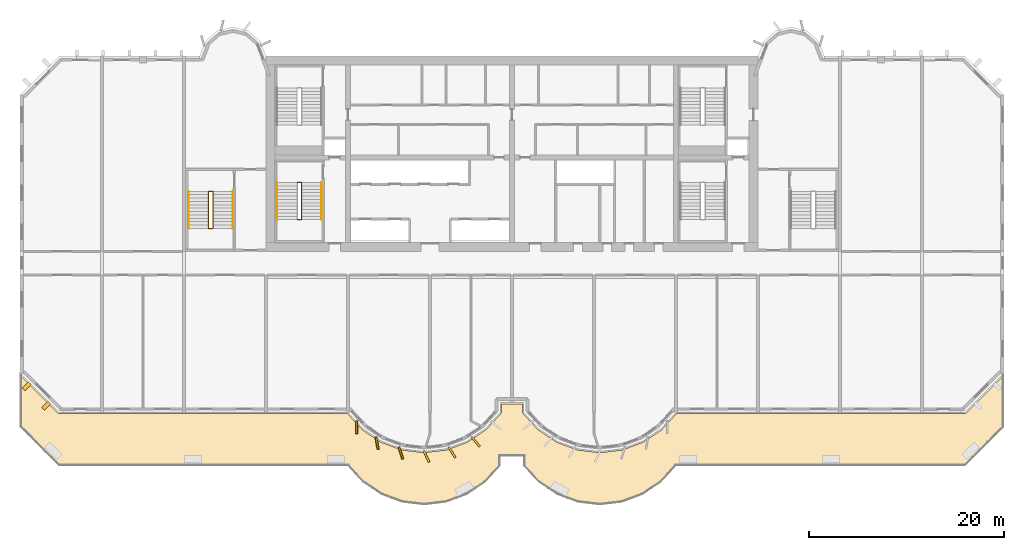
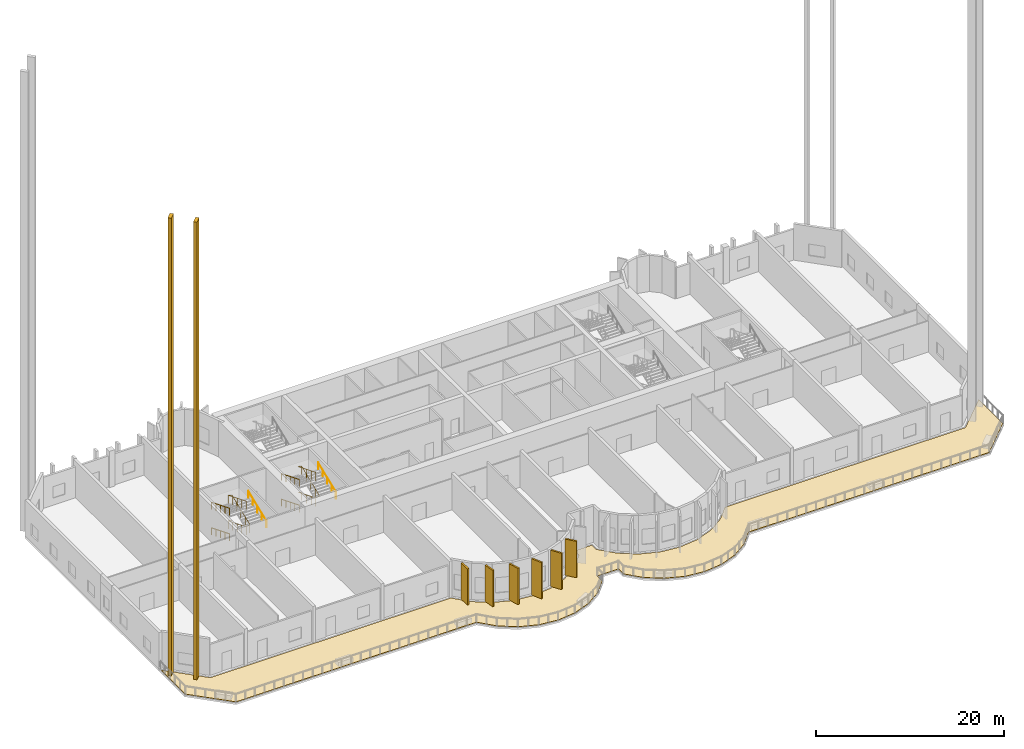
# One storey, part 10 of 13: 9 coverings, 8 railings.
"""IFC4 building model written with IfcOpenShell, lengths in metres."""

import ifcopenshell
import ifcopenshell.guid

model = None  # the IFC model being written
_history = None  # IfcOwnerHistory: only IFC2X3 demands one
_inside = {}  # id of a spatial element -> (the spatial element, [elements in it])
_under = {}  # id of a project, library or spatial element -> (it, [spatial elements below it])
_declared = {}  # id of a project -> (the project, [libraries it declares])
_typed = {}  # id of a type object -> (the type object, [elements of that type])
_made_of = {}  # id of a material, layer set ... -> (it, [elements and type objects made of it])


def new_model(schema):
    """Start an empty IFC model of exactly this schema.

    Asked for "IFC4X3", IfcOpenShell would pick the latest addendum, in which some entities
    have other attributes; the version numbers below select the first issue.
    IFC2X3 requires an IfcOwnerHistory on every rooted entity: one is made here for all.
    """
    global model, _history
    if schema == "IFC4X3":
        model = ifcopenshell.file(schema_version=(4, 3, 0, 0))
    else:
        model = ifcopenshell.file(schema=schema)
    _inside.clear()
    _under.clear()
    _declared.clear()
    _typed.clear()
    _made_of.clear()
    _history = None
    if model.schema == "IFC2X3":
        org = make("IfcOrganization", Name="unknown")
        user = make(
            "IfcPersonAndOrganization",
            ThePerson=make("IfcPerson", FamilyName="unknown"),
            TheOrganization=org,
        )
        app = make(
            "IfcApplication",
            ApplicationDeveloper=org,
            Version="unknown",
            ApplicationFullName="unknown",
            ApplicationIdentifier="unknown",
        )
        _history = make(
            "IfcOwnerHistory",
            OwningUser=user,
            OwningApplication=app,
            ChangeAction="ADDED",
            CreationDate=0,
        )
    return model


def make(cls, **values):
    """One entity of the class cls with the attributes given. An attribute that is None is left unset."""
    return model.create_entity(
        cls, **{name: value for name, value in values.items() if value is not None}
    )


def rooted(cls, **values):
    """An entity with a GlobalId (a new one), such as an element, a storey or a relation."""
    return make(cls, GlobalId=ifcopenshell.guid.new(), OwnerHistory=_history, **values)


def si_unit(unit_type, name, prefix=None):
    """IfcSIUnit, for example si_unit("LENGTHUNIT", "METRE", prefix="MILLI")."""
    return make("IfcSIUnit", UnitType=unit_type, Prefix=prefix, Name=name)


def assignment(units):
    """IfcUnitAssignment: the units of a project."""
    return None if units is None else make("IfcUnitAssignment", Units=units)


def point(xyz):
    """IfcCartesianPoint."""
    return None if xyz is None else make("IfcCartesianPoint", Coordinates=xyz)


def direction(xyz):
    """IfcDirection."""
    return None if xyz is None else make("IfcDirection", DirectionRatios=xyz)


def frame(location, z_axis=None, x_axis=None):
    """IfcAxis2Placement3D, a coordinate frame: its origin and axes. An axis left out is left unset."""
    return make(
        "IfcAxis2Placement3D",
        Location=point(location),
        Axis=direction(z_axis),
        RefDirection=direction(x_axis),
    )


def frame_2d(location, x_axis=None):
    """IfcAxis2Placement2D, a coordinate frame in the plane: its origin and x axis."""
    return make(
        "IfcAxis2Placement2D", Location=point(location), RefDirection=direction(x_axis)
    )


def origin():
    """The frame at (0, 0, 0) with its axes left unset."""
    return frame((0.0, 0.0, 0.0))


def origin_2d():
    """The frame at (0, 0) in the plane with its x axis left unset."""
    return frame_2d((0.0, 0.0))


def place(relative_to, where):
    """IfcLocalPlacement: puts the frame where relative to a parent placement (None: the world)."""
    return make(
        "IfcLocalPlacement", PlacementRelTo=relative_to, RelativePlacement=where
    )


def context(
    kind, dimensions, precision=None, world=None, true_north=None, identifier=None
):
    """IfcGeometricRepresentationContext, for example the 3D "Model" context."""
    return make(
        "IfcGeometricRepresentationContext",
        ContextIdentifier=identifier,
        ContextType=kind,
        CoordinateSpaceDimension=dimensions,
        Precision=precision,
        WorldCoordinateSystem=world,
        TrueNorth=true_north,
    )


def subcontext(parent, identifier, kind, view, scale=None):
    """IfcGeometricRepresentationSubContext, for example "Body" below "Model"."""
    return make(
        "IfcGeometricRepresentationSubContext",
        ContextIdentifier=identifier,
        ContextType=kind,
        ParentContext=parent,
        TargetScale=scale,
        TargetView=view,
    )


def project(units=None, contexts=None):
    """IfcProject with its units and contexts."""
    return rooted(
        "IfcProject",
        Name="project",
        RepresentationContexts=contexts,
        UnitsInContext=assignment(units),
    )


def spatial(cls, under=None, at=None, **own):
    """A site, building, storey or space (cls), placed at a placement, below another one or the project."""
    s = rooted(cls, ObjectPlacement=at, **own)
    if under is not None:
        _under.setdefault(under.id(), (under, []))[1].append(s)
    return s


def polyline(points):
    """IfcPolyline through the points."""
    return make("IfcPolyline", Points=[point(p) for p in points])


def profile(cls, at=None, kind="AREA", **sizes):
    """A parametric profile (cls). Its sizes go by their IFC names, for example OverallWidth=200.0."""
    return make(cls, ProfileType=kind, Position=at, **sizes)


def rectangle(**sizes):
    """IfcRectangleProfileDef."""
    return profile("IfcRectangleProfileDef", **sizes)


def circle(**sizes):
    """IfcCircleProfileDef."""
    return profile("IfcCircleProfileDef", **sizes)


def outline(outer, holes=None, kind="AREA"):
    """IfcArbitraryClosedProfileDef: a profile drawn as a closed curve; with holes, ...WithVoids."""
    if holes is None:
        return make("IfcArbitraryClosedProfileDef", ProfileType=kind, OuterCurve=outer)
    return make(
        "IfcArbitraryProfileDefWithVoids",
        ProfileType=kind,
        OuterCurve=outer,
        InnerCurves=holes,
    )


def extrude(swept, where, along, depth):
    """IfcExtrudedAreaSolid: the profile swept, set in the frame where, extruded along a direction by depth."""
    return make(
        "IfcExtrudedAreaSolid",
        SweptArea=swept,
        Position=where,
        ExtrudedDirection=direction(along),
        Depth=depth,
    )


def shape(context_of_items, identifier, shape_type, items):
    """IfcShapeRepresentation: the items that make up one representation, for example the "Body"."""
    return make(
        "IfcShapeRepresentation",
        ContextOfItems=context_of_items,
        RepresentationIdentifier=identifier,
        RepresentationType=shape_type,
        Items=items,
    )


def source(mapping_origin, context_of_items, identifier, shape_type, items):
    """IfcRepresentationMap: a shape defined once, which mapped items show again and again."""
    return make(
        "IfcRepresentationMap",
        MappingOrigin=mapping_origin,
        MappedRepresentation=shape(context_of_items, identifier, shape_type, items),
    )


def transform(
    local_origin,
    x_axis=None,
    y_axis=None,
    z_axis=None,
    scale=None,
    scale2=None,
    scale3=None,
    uniform=True,
):
    """IfcCartesianTransformationOperator3D, or its non-uniform kind. x_axis, y_axis, z_axis: its Axis1, 2, 3."""
    if uniform:
        return make(
            "IfcCartesianTransformationOperator3D",
            Axis1=direction(x_axis),
            Axis2=direction(y_axis),
            LocalOrigin=point(local_origin),
            Scale=scale,
            Axis3=direction(z_axis),
        )
    return make(
        "IfcCartesianTransformationOperator3DnonUniform",
        Axis1=direction(x_axis),
        Axis2=direction(y_axis),
        LocalOrigin=point(local_origin),
        Scale=scale,
        Axis3=direction(z_axis),
        Scale2=scale2,
        Scale3=scale3,
    )


def mapped(mapping_source, mapping_target):
    """IfcMappedItem: shows the shape of a source again, moved by a transform."""
    return make(
        "IfcMappedItem", MappingSource=mapping_source, MappingTarget=mapping_target
    )


def material(Name=None, Category=None):
    """IfcMaterial."""
    return make("IfcMaterial", Name=Name, Category=Category)


def layer(
    of_material, thickness, ventilated=None, Name=None, Category=None, Priority=None
):
    """IfcMaterialLayer: one layer of a wall or slab, of a material (None: an air gap)."""
    return make(
        "IfcMaterialLayer",
        Material=of_material,
        LayerThickness=thickness,
        IsVentilated=ventilated,
        Name=Name,
        Category=Category,
        Priority=Priority,
    )


def layer_set(layers, Name=None):
    """IfcMaterialLayerSet."""
    return make("IfcMaterialLayerSet", MaterialLayers=layers, LayerSetName=Name)


def material_profile(
    of_material, cross_section, Name=None, Category=None, Priority=None
):
    """IfcMaterialProfile: a cross section and its material."""
    return make(
        "IfcMaterialProfile",
        Name=Name,
        Material=of_material,
        Profile=cross_section,
        Priority=Priority,
        Category=Category,
    )


def profile_set(profiles, Name=None, composite=None):
    """IfcMaterialProfileSet."""
    return make(
        "IfcMaterialProfileSet",
        Name=Name,
        MaterialProfiles=profiles,
        CompositeProfile=composite,
    )


def made_of(thing, what):
    """Note that an element or type object is made of a material, layer set ...; save() writes the relation."""
    if what is not None:
        _made_of.setdefault(what.id(), (what, []))[1].append(thing)
    return thing


def type_object(cls, material=None, **own):
    """A type object (cls), such as IfcWallType, which elements share."""
    return made_of(rooted(cls, **own), material)


def element(
    cls,
    number,
    at=None,
    inside=None,
    cuts=None,
    type_object=None,
    material=None,
    context=None,
    identifier="Body",
    shape_type=None,
    held_by="IfcProductDefinitionShape",
    body=None,
    shapes=None,
    **own,
):
    """One element of the class cls, such as IfcWall. Its Tag is "e" and its number.

    at: its placement. inside: the storey or other place that contains it. cuts: it is an
    opening in that element (IfcRelVoidsElement). A single representation is given by context,
    identifier, shape_type and body (its items); several are given by shapes. held_by: the class
    of the entity that holds the representations. save() writes the other relations.
    """
    e = rooted(cls, Tag="e%d" % number, ObjectPlacement=at, **own)
    if body is not None:
        shapes = [shape(context, identifier, shape_type, body)]
    if shapes is not None:
        e.Representation = make(held_by, Representations=shapes)
    if inside is not None:
        _inside.setdefault(inside.id(), (inside, []))[1].append(e)
    if cuts is not None:
        rooted(
            "IfcRelVoidsElement", RelatingBuildingElement=cuts, RelatedOpeningElement=e
        )
    if type_object is not None:
        _typed.setdefault(type_object.id(), (type_object, []))[1].append(e)
    return made_of(e, material)


def aggregate(whole, parts):
    """IfcRelAggregates: a whole, such as a stair, and the parts it consists of."""
    return rooted("IfcRelAggregates", RelatingObject=whole, RelatedObjects=parts)


def save(model, path):
    """Write the relations noted so far, then the file.

    IfcRelAggregates (storeys below a building ...), IfcRelContainedInSpatialStructure (elements
    in a storey), IfcRelDefinesByType, IfcRelAssociatesMaterial and IfcRelDeclares: one each for
    every whole, place, type object, material and project.
    """
    for whole, parts in _under.values():
        aggregate(whole, parts)
    for where, things in _inside.values():
        rooted(
            "IfcRelContainedInSpatialStructure",
            RelatedElements=things,
            RelatingStructure=where,
        )
    for kind, things in _typed.values():
        rooted("IfcRelDefinesByType", RelatedObjects=things, RelatingType=kind)
    for what, things in _made_of.values():
        rooted("IfcRelAssociatesMaterial", RelatedObjects=things, RelatingMaterial=what)
    for by, libraries in _declared.values():
        rooted("IfcRelDeclares", RelatingContext=by, RelatedDefinitions=libraries)
    model.write(path)


model = new_model("IFC4")

# Units and contexts
model_context = context("Model", 3, precision=1e-05, world=origin(), true_north=direction((0.0, 1.0)))
body_context = subcontext(model_context, "Body", "Model", "MODEL_VIEW")
ifc_project = project(units=[si_unit("LENGTHUNIT", "METRE"), si_unit("AREAUNIT", "SQUARE_METRE"), si_unit("VOLUMEUNIT", "CUBIC_METRE"), si_unit("PLANEANGLEUNIT", "RADIAN"), si_unit("MASSUNIT", "GRAM", prefix="KILO")], contexts=[model_context])

# Site, building, storey
site_placement = place(None, origin())
site = spatial("IfcSite", under=ifc_project, at=site_placement, CompositionType="ELEMENT")
building_placement = place(site_placement, origin())
building = spatial("IfcBuilding", under=site, at=building_placement, Name="Vanashikhar Sky Hotel", CompositionType="ELEMENT")
storey_placement = place(building_placement, frame((0.0, 0.0, 86.39990234375)))
storey = spatial("IfcBuildingStorey", under=building, at=storey_placement, Name="L20", CompositionType="ELEMENT", Elevation=86.39990234375)

# Coverings
ifc_material_1 = material(Name="Concrete M60 dark", Category="concrete")
ifc_material_profile_1 = material_profile(ifc_material_1, rectangle(XDim=1.300048828125, YDim=0.199951171875, at=origin_2d()))
ifc_profile_set_1 = profile_set([ifc_material_profile_1], Name="Fin 1300 x 200")
covering_type_1 = type_object("IfcCoveringType", Name="Fin 1300 x 200", PredefinedType="CLADDING", material=ifc_profile_set_1)
shared_shape_1 = source(origin(), body_context, "Body", "SweptSolid", [
    extrude(rectangle(XDim=1.300048828125, YDim=0.199951171875, at=origin_2d()), origin(), (0.0, 0.0, 1.0), 4.72021484375),
])
for number, where, z_axis, x_axis, name in (
    (1, (34.482421875, 3.992919921875, 0.0), (0.0, 0.0, 1.0), (0.011588726826, -0.999932848451, 0.0), "Fin F1-1"),
    (2, (36.572509765625, 2.3779296875, 0.0), (0.0, 0.0, 1.0), (0.16989991575, -0.985461322746, 0.0), "Fin F1-2"),
    (3, (39.00830078125, 1.35693359375, 0.0), (0.0, 0.0, 1.0), (0.303966551867, -0.952682704444, 0.0), "Fin F1-3"),
    (4, (41.63232421875, 1.00146484375, 0.0), (0.0, 0.0, 1.0), (0.422618261741, -0.906307787037, 0.0), "Fin F1-4"),
    (5, (44.251953125, 1.416015625, 0.0), (0.0, 0.0, 1.0), (0.534411358496, -0.845224526331, 0.0), "Fin F1-5"),
    (6, (46.676025390625, 2.5, 0.0), (0.0, 0.0, 1.0), (0.645697609467, -0.763593214433, 0.0), "Fin F1-6"),
):
    element("IfcCovering", number, at=place(storey_placement, frame(where, z_axis=z_axis, x_axis=x_axis)), inside=storey, type_object=covering_type_1, Name=name, PredefinedType="CLADDING", context=body_context, shape_type="MappedRepresentation", body=[
        mapped(shared_shape_1, transform((0.0, 0.0, 0.0), scale=1.0)),
    ])
ifc_material_profile_2 = material_profile(ifc_material_1, rectangle(XDim=0.89990234375, YDim=0.39990234375, at=origin_2d()))
ifc_profile_set_2 = profile_set([ifc_material_profile_2], Name="Chamfer fin 900 x 400")
covering_type_2 = type_object("IfcCoveringType", Name="Chamfer fin 900 x 400", PredefinedType="CLADDING", material=ifc_profile_set_2)
shared_shape_2 = source(origin(), body_context, "Body", "SweptSolid", [
    extrude(rectangle(XDim=0.89990234375, YDim=0.39990234375, at=origin_2d()), origin(), (0.0, 0.0, 1.0), 59.7998046875),
])
for number, where, z_axis, x_axis, name in (
    (7, (0.681884765625, 8.181884765625, -0.27978515625), (0.0, 0.0, 1.0), (-0.707106781187, -0.707106781187, 0.0), "Chamfer fin"),
    (8, (2.681884765625, 6.181884765625, -0.27978515625), (0.0, 0.0, 1.0), (-0.707106781187, -0.707106781187, 0.0), "Chamfer fin"),
):
    element("IfcCovering", number, at=place(storey_placement, frame(where, z_axis=z_axis, x_axis=x_axis)), inside=storey, type_object=covering_type_2, Name=name, PredefinedType="CLADDING", context=body_context, shape_type="MappedRepresentation", body=[
        mapped(shared_shape_2, transform((0.0, 0.0, 0.0), scale=1.0)),
    ])
ifc_material_2 = material(Name="Paving stone", Category="masonry")
ifc_layer = layer(ifc_material_2, 0.050048828125)
ifc_layer_set = layer_set([ifc_layer], Name="Paving stone 50")
covering_type_3 = type_object("IfcCoveringType", Name="Paving stone 50", PredefinedType="FLOORING", material=ifc_layer_set)
shared_shape_3 = source(origin(), body_context, "Body", "SweptSolid", [
    extrude(outline(polyline([(47.587158203125, -1.580322265625), (45.726806640625, -2.83251953125), (43.62548828125, -3.612548828125), (41.39990234375, -3.877197265625), (39.17431640625, -3.612548828125), (37.0732421875, -2.83251953125), (35.212890625, -1.580322265625), (33.65380859375, 0.1220703125), (4.05078125, 0.1220703125), (0.1220703125, 4.05078125), (0.1220703125, 9.205322265625), (3.94921875, 5.3779296875), (33.546142578125, 5.3779296875), (35.052978515625, 3.732421875), (36.9609375, 2.448486328125), (39.11767578125, 1.6484375), (41.39990234375, 1.377197265625), (43.682373046875, 1.6484375), (45.839111328125, 2.448486328125), (47.746826171875, 3.732421875), (49.322021484375, 5.452392578125), (49.322021484375, 6.3779296875), (51.47802734375, 6.3779296875), (51.47802734375, 5.452392578125), (53.052978515625, 3.732421875), (54.9609375, 2.448486328125), (57.11767578125, 1.6484375), (59.39990234375, 1.377197265625), (61.682373046875, 1.6484375), (63.839111328125, 2.448486328125), (65.746826171875, 3.732421875), (67.25390625, 5.3779296875), (96.8505859375, 5.3779296875), (100.677978515625, 9.205322265625), (100.677978515625, 4.05078125), (96.749267578125, 0.1220703125), (67.146240234375, 0.1220703125), (65.587158203125, -1.580322265625), (63.726806640625, -2.83251953125), (61.62548828125, -3.612548828125), (59.39990234375, -3.877197265625), (57.17431640625, -3.612548828125), (55.0732421875, -2.83251953125), (53.212890625, -1.580322265625), (51.721923828125, 0.047607421875), (51.721923828125, 1.1220703125), (49.077880859375, 1.1220703125), (49.077880859375, 0.047607421875), (47.587158203125, -1.580322265625)])), origin(), (0.0, 0.0, 1.0), 0.0498046875),
])
covering_placement = place(storey_placement, frame((0.0, 0.0, -0.0498046875)))
element("IfcCovering", 9, at=covering_placement, inside=storey, type_object=covering_type_3, Name="Terrace paving", PredefinedType="FLOORING", context=body_context, shape_type="MappedRepresentation", body=[
    mapped(shared_shape_3, transform((0.0, 0.0, 0.0), scale=1.0)),
])

# Railings
ifc_material_3 = material(Name="Steel S355", Category="steel")
railing_type_1 = type_object("IfcRailingType", Name="Stair handrail 900", PredefinedType="HANDRAIL", material=ifc_material_3)
shared_shape_4 = source(origin(), body_context, "Body", "SweptSolid", [
    extrude(circle(Radius=0.02392578125, at=origin_2d()), frame((0.0, 0.0, 0.8759765625), z_axis=(0.0, 0.927817477834, 0.373034486109), x_axis=(-1.0, 0.0, 0.0)), (0.0, 0.0, 1.0), 4.095703125),
    extrude(circle(Radius=0.02099609375, at=origin_2d()), origin(), (0.0, 0.0, 1.0), 0.851806640625),
    extrude(circle(Radius=0.02099609375, at=origin_2d()), frame((0.0, 0.949951171875, 0.3818359375)), (0.0, 0.0, 1.0), 0.851806640625),
    extrude(circle(Radius=0.02099609375, at=origin_2d()), frame((0.0, 1.89990234375, 0.763916015625)), (0.0, 0.0, 1.0), 0.851806640625),
    extrude(circle(Radius=0.02099609375, at=origin_2d()), frame((0.0, 2.85009765625, 1.14599609375)), (0.0, 0.0, 1.0), 0.851806640625),
    extrude(circle(Radius=0.02099609375, at=origin_2d()), frame((0.0, 3.800048828125, 1.52783203125)), (0.0, 0.0, 1.0), 0.851806640625),
])
railing_1_placement = place(storey_placement, frame((30.89990234375, 25.25, 1.8056640625)))
element("IfcRailing", 10, at=railing_1_placement, inside=storey, type_object=railing_type_1, Name="Exit stair 1 handrail", PredefinedType="HANDRAIL", context=body_context, shape_type="MappedRepresentation", body=[
    mapped(shared_shape_4, transform((0.0, 0.0, 0.0), scale=1.0)),
])
shared_shape_5 = source(origin(), body_context, "Body", "SweptSolid", [
    extrude(circle(Radius=0.02392578125, at=origin_2d()), frame((0.0, 0.0, 0.8759765625), z_axis=(0.0, -0.927838108096, 0.372983170084), x_axis=(1.0, 0.0, 0.0)), (0.0, 0.0, 1.0), 4.095703125),
    extrude(circle(Radius=0.02099609375, at=origin_2d()), origin(), (0.0, 0.0, 1.0), 0.851806640625),
    extrude(circle(Radius=0.02099609375, at=origin_2d()), frame((0.0, -0.949951171875, 0.3818359375)), (0.0, 0.0, 1.0), 0.851806640625),
    extrude(circle(Radius=0.02099609375, at=origin_2d()), frame((0.0, -1.89990234375, 0.763671875)), (0.0, 0.0, 1.0), 0.851806640625),
    extrude(circle(Radius=0.02099609375, at=origin_2d()), frame((0.0, -2.85009765625, 1.145751953125)), (0.0, 0.0, 1.0), 0.851806640625),
    extrude(circle(Radius=0.02099609375, at=origin_2d()), frame((0.0, -3.800048828125, 1.527587890625)), (0.0, 0.0, 1.0), 0.851806640625),
])
railing_2_placement = place(storey_placement, frame((26.35009765625, 29.050048828125, 3.472412109375)))
element("IfcRailing", 11, at=railing_2_placement, inside=storey, type_object=railing_type_1, Name="Exit stair 1 handrail", PredefinedType="HANDRAIL", context=body_context, shape_type="MappedRepresentation", body=[
    mapped(shared_shape_5, transform((0.0, 0.0, 0.0), scale=1.0)),
])
railing_type_2 = type_object("IfcRailingType", Name="Stair guard 1100", PredefinedType="GUARDRAIL", material=ifc_material_3)
shared_shape_6 = source(origin(), body_context, "Body", "SweptSolid", [
    extrude(circle(Radius=0.02392578125, at=origin_2d()), frame((0.0, 0.0, 1.076171875), z_axis=(-0.955543416296, 0.0, 0.294850435939), x_axis=(0.0, -1.0, 0.0)), (0.0, 0.0, 1.0), 0.47119140625),
    extrude(circle(Radius=0.02392578125, at=origin_2d()), frame((-0.4501953125, 0.0, 1.21484375), z_axis=(0.0, -0.927817477834, 0.373034486109), x_axis=(1.0, 0.0, 0.0)), (0.0, 0.0, 1.0), 4.095703125),
    extrude(circle(Radius=0.02392578125, at=origin_2d()), frame((-0.4501953125, -3.800048828125, 2.74267578125), z_axis=(0.955543416296, 0.0, 0.294850435939), x_axis=(0.0, 1.0, 0.0)), (0.0, 0.0, 1.0), 0.47119140625),
    extrude(circle(Radius=0.02392578125, at=origin_2d()), frame((0.0, -3.800048828125, 2.8818359375), z_axis=(0.0, 0.927817477834, 0.373034486109), x_axis=(-1.0, 0.0, 0.0)), (0.0, 0.0, 1.0), 4.095703125),
    extrude(circle(Radius=0.02392578125, at=origin_2d()), frame((0.0, 0.0, 4.40966796875), z_axis=(-0.955543416296, 0.0, 0.294850435939), x_axis=(0.0, -1.0, 0.0)), (0.0, 0.0, 1.0), 0.47119140625),
    extrude(circle(Radius=0.02392578125, at=origin_2d()), frame((-0.4501953125, 0.0, 4.54833984375), z_axis=(0.0, -0.927838108096, 0.372983170084), x_axis=(1.0, 0.0, 0.0)), (0.0, 0.0, 1.0), 4.095703125),
    extrude(circle(Radius=0.02099609375, at=origin_2d()), origin(), (0.0, 0.0, 1.0), 1.052001953125),
    extrude(circle(Radius=0.02099609375, at=origin_2d()), frame((-0.4501953125, 0.0, 0.138916015625)), (0.0, 0.0, 1.0), 1.052001953125),
    extrude(circle(Radius=0.02099609375, at=origin_2d()), frame((-0.4501953125, -0.949951171875, 0.52099609375)), (0.0, 0.0, 1.0), 1.052001953125),
    extrude(circle(Radius=0.02099609375, at=origin_2d()), frame((-0.4501953125, -1.89990234375, 0.90283203125)), (0.0, 0.0, 1.0), 1.052001953125),
    extrude(circle(Radius=0.02099609375, at=origin_2d()), frame((-0.4501953125, -2.85009765625, 1.28466796875)), (0.0, 0.0, 1.0), 1.052001953125),
    extrude(circle(Radius=0.02099609375, at=origin_2d()), frame((-0.4501953125, -3.800048828125, 1.666748046875)), (0.0, 0.0, 1.0), 1.052001953125),
    extrude(circle(Radius=0.02099609375, at=origin_2d()), frame((0.0, -3.800048828125, 1.8056640625)), (0.0, 0.0, 1.0), 1.052001953125),
    extrude(circle(Radius=0.02099609375, at=origin_2d()), frame((0.0, -2.85009765625, 2.1875)), (0.0, 0.0, 1.0), 1.052001953125),
    extrude(circle(Radius=0.02099609375, at=origin_2d()), frame((0.0, -1.89990234375, 2.569580078125)), (0.0, 0.0, 1.0), 1.052001953125),
    extrude(circle(Radius=0.02099609375, at=origin_2d()), frame((0.0, -0.949951171875, 2.95166015625)), (0.0, 0.0, 1.0), 1.052001953125),
    extrude(circle(Radius=0.02099609375, at=origin_2d()), frame((0.0, 0.0, 3.33349609375)), (0.0, 0.0, 1.0), 1.052001953125),
    extrude(circle(Radius=0.02099609375, at=origin_2d()), frame((-0.4501953125, 0.0, 3.472412109375)), (0.0, 0.0, 1.0), 1.052001953125),
    extrude(circle(Radius=0.02099609375, at=origin_2d()), frame((-0.4501953125, -0.949951171875, 3.854248046875)), (0.0, 0.0, 1.0), 1.052001953125),
    extrude(circle(Radius=0.02099609375, at=origin_2d()), frame((-0.4501953125, -1.89990234375, 4.236328125)), (0.0, 0.0, 1.0), 1.052001953125),
    extrude(circle(Radius=0.02099609375, at=origin_2d()), frame((-0.4501953125, -2.85009765625, 4.6181640625)), (0.0, 0.0, 1.0), 1.052001953125),
    extrude(circle(Radius=0.02099609375, at=origin_2d()), frame((-0.4501953125, -3.800048828125, 5.0)), (0.0, 0.0, 1.0), 1.052001953125),
])
railing_3_placement = place(storey_placement, frame((28.85009765625, 29.050048828125, 0.0)))
element("IfcRailing", 12, at=railing_3_placement, inside=storey, type_object=railing_type_2, Name="Exit stair 1 guard", PredefinedType="GUARDRAIL", context=body_context, shape_type="MappedRepresentation", body=[
    mapped(shared_shape_6, transform((0.0, 0.0, 0.0), scale=1.0)),
])
shared_shape_7 = source(origin(), body_context, "Body", "SweptSolid", [
    extrude(circle(Radius=0.02392578125, at=origin_2d()), frame((0.0, 0.0, 0.8759765625), z_axis=(0.0, -0.927817477834, 0.373034486109), x_axis=(1.0, 0.0, 0.0)), (0.0, 0.0, 1.0), 4.095703125),
    extrude(circle(Radius=0.02099609375, at=origin_2d()), origin(), (0.0, 0.0, 1.0), 0.851806640625),
    extrude(circle(Radius=0.02099609375, at=origin_2d()), frame((0.0, -0.949951171875, 0.3818359375)), (0.0, 0.0, 1.0), 0.851806640625),
    extrude(circle(Radius=0.02099609375, at=origin_2d()), frame((0.0, -1.89990234375, 0.763916015625)), (0.0, 0.0, 1.0), 0.851806640625),
    extrude(circle(Radius=0.02099609375, at=origin_2d()), frame((0.0, -2.85009765625, 1.14599609375)), (0.0, 0.0, 1.0), 0.851806640625),
    extrude(circle(Radius=0.02099609375, at=origin_2d()), frame((0.0, -3.800048828125, 1.52783203125)), (0.0, 0.0, 1.0), 0.851806640625),
])
railing_4_placement = place(storey_placement, frame((26.35009765625, 29.050048828125, 0.138916015625)))
element("IfcRailing", 13, at=railing_4_placement, inside=storey, type_object=railing_type_1, Name="Exit stair 1 handrail", PredefinedType="HANDRAIL", context=body_context, shape_type="MappedRepresentation", body=[
    mapped(shared_shape_7, transform((0.0, 0.0, 0.0), scale=1.0)),
])
shared_shape_8 = source(origin(), body_context, "Body", "SweptSolid", [
    extrude(circle(Radius=0.02392578125, at=origin_2d()), frame((0.0, 0.0, 0.8759765625), z_axis=(0.0, 0.927809182241, 0.37305511838), x_axis=(-1.0, 0.0, 0.0)), (0.0, 0.0, 1.0), 4.095458984375),
    extrude(circle(Radius=0.02099609375, at=origin_2d()), origin(), (0.0, 0.0, 1.0), 0.851806640625),
    extrude(circle(Radius=0.02099609375, at=origin_2d()), frame((0.0, 0.949951171875, 0.3818359375)), (0.0, 0.0, 1.0), 0.851806640625),
    extrude(circle(Radius=0.02099609375, at=origin_2d()), frame((0.0, 1.89990234375, 0.763916015625)), (0.0, 0.0, 1.0), 0.851806640625),
    extrude(circle(Radius=0.02099609375, at=origin_2d()), frame((0.0, 2.849853515625, 1.14599609375)), (0.0, 0.0, 1.0), 0.851806640625),
    extrude(circle(Radius=0.02099609375, at=origin_2d()), frame((0.0, 3.7998046875, 1.52783203125)), (0.0, 0.0, 1.0), 0.851806640625),
])
railing_5_placement = place(storey_placement, frame((21.800048828125, 24.35009765625, 1.8056640625)))
element("IfcRailing", 14, at=railing_5_placement, inside=storey, type_object=railing_type_1, Name="Exit stair 3 handrail", PredefinedType="HANDRAIL", context=body_context, shape_type="MappedRepresentation", body=[
    mapped(shared_shape_8, transform((0.0, 0.0, 0.0), scale=1.0)),
])
shared_shape_9 = source(origin(), body_context, "Body", "SweptSolid", [
    extrude(circle(Radius=0.02392578125, at=origin_2d()), frame((0.0, 0.0, 0.8759765625), z_axis=(0.0, -0.927829814601, 0.373003800434), x_axis=(1.0, 0.0, 0.0)), (0.0, 0.0, 1.0), 4.095458984375),
    extrude(circle(Radius=0.02099609375, at=origin_2d()), origin(), (0.0, 0.0, 1.0), 0.851806640625),
    extrude(circle(Radius=0.02099609375, at=origin_2d()), frame((0.0, -0.949951171875, 0.3818359375)), (0.0, 0.0, 1.0), 0.851806640625),
    extrude(circle(Radius=0.02099609375, at=origin_2d()), frame((0.0, -1.89990234375, 0.763671875)), (0.0, 0.0, 1.0), 0.851806640625),
    extrude(circle(Radius=0.02099609375, at=origin_2d()), frame((0.0, -2.849853515625, 1.145751953125)), (0.0, 0.0, 1.0), 0.851806640625),
    extrude(circle(Radius=0.02099609375, at=origin_2d()), frame((0.0, -3.7998046875, 1.527587890625)), (0.0, 0.0, 1.0), 0.851806640625),
])
railing_6_placement = place(storey_placement, frame((17.25, 28.14990234375, 3.472412109375)))
element("IfcRailing", 15, at=railing_6_placement, inside=storey, type_object=railing_type_1, Name="Exit stair 3 handrail", PredefinedType="HANDRAIL", context=body_context, shape_type="MappedRepresentation", body=[
    mapped(shared_shape_9, transform((0.0, 0.0, 0.0), scale=1.0)),
])
shared_shape_10 = source(origin(), body_context, "Body", "SweptSolid", [
    extrude(circle(Radius=0.02392578125, at=origin_2d()), frame((0.0, 0.0, 1.076171875), z_axis=(-0.955498332995, 0.0, 0.294996501071), x_axis=(0.0, -1.0, 0.0)), (0.0, 0.0, 1.0), 0.470947265625),
    extrude(circle(Radius=0.02392578125, at=origin_2d()), frame((-0.449951171875, 0.0, 1.21484375), z_axis=(0.0, -0.927809182241, 0.37305511838), x_axis=(1.0, 0.0, 0.0)), (0.0, 0.0, 1.0), 4.095458984375),
    extrude(circle(Radius=0.02392578125, at=origin_2d()), frame((-0.449951171875, -3.7998046875, 2.74267578125), z_axis=(0.955498332995, 0.0, 0.294996501071), x_axis=(0.0, 1.0, 0.0)), (0.0, 0.0, 1.0), 0.470947265625),
    extrude(circle(Radius=0.02392578125, at=origin_2d()), frame((0.0, -3.7998046875, 2.8818359375), z_axis=(0.0, 0.927809182241, 0.37305511838), x_axis=(-1.0, 0.0, 0.0)), (0.0, 0.0, 1.0), 4.095458984375),
    extrude(circle(Radius=0.02392578125, at=origin_2d()), frame((0.0, 0.0, 4.40966796875), z_axis=(-0.955498332995, 0.0, 0.294996501071), x_axis=(0.0, -1.0, 0.0)), (0.0, 0.0, 1.0), 0.470947265625),
    extrude(circle(Radius=0.02392578125, at=origin_2d()), frame((-0.449951171875, 0.0, 4.54833984375), z_axis=(0.0, -0.927829814601, 0.373003800434), x_axis=(1.0, 0.0, 0.0)), (0.0, 0.0, 1.0), 4.095458984375),
    extrude(circle(Radius=0.02099609375, at=origin_2d()), origin(), (0.0, 0.0, 1.0), 1.052001953125),
    extrude(circle(Radius=0.02099609375, at=origin_2d()), frame((-0.449951171875, 0.0, 0.138916015625)), (0.0, 0.0, 1.0), 1.052001953125),
    extrude(circle(Radius=0.02099609375, at=origin_2d()), frame((-0.449951171875, -0.949951171875, 0.52099609375)), (0.0, 0.0, 1.0), 1.052001953125),
    extrude(circle(Radius=0.02099609375, at=origin_2d()), frame((-0.449951171875, -1.89990234375, 0.90283203125)), (0.0, 0.0, 1.0), 1.052001953125),
    extrude(circle(Radius=0.02099609375, at=origin_2d()), frame((-0.449951171875, -2.849853515625, 1.28466796875)), (0.0, 0.0, 1.0), 1.052001953125),
    extrude(circle(Radius=0.02099609375, at=origin_2d()), frame((-0.449951171875, -3.7998046875, 1.666748046875)), (0.0, 0.0, 1.0), 1.052001953125),
    extrude(circle(Radius=0.02099609375, at=origin_2d()), frame((0.0, -3.7998046875, 1.8056640625)), (0.0, 0.0, 1.0), 1.052001953125),
    extrude(circle(Radius=0.02099609375, at=origin_2d()), frame((0.0, -2.849853515625, 2.1875)), (0.0, 0.0, 1.0), 1.052001953125),
    extrude(circle(Radius=0.02099609375, at=origin_2d()), frame((0.0, -1.89990234375, 2.569580078125)), (0.0, 0.0, 1.0), 1.052001953125),
    extrude(circle(Radius=0.02099609375, at=origin_2d()), frame((0.0, -0.949951171875, 2.95166015625)), (0.0, 0.0, 1.0), 1.052001953125),
    extrude(circle(Radius=0.02099609375, at=origin_2d()), frame((0.0, 0.0, 3.33349609375)), (0.0, 0.0, 1.0), 1.052001953125),
    extrude(circle(Radius=0.02099609375, at=origin_2d()), frame((-0.449951171875, 0.0, 3.472412109375)), (0.0, 0.0, 1.0), 1.052001953125),
    extrude(circle(Radius=0.02099609375, at=origin_2d()), frame((-0.449951171875, -0.949951171875, 3.854248046875)), (0.0, 0.0, 1.0), 1.052001953125),
    extrude(circle(Radius=0.02099609375, at=origin_2d()), frame((-0.449951171875, -1.89990234375, 4.236328125)), (0.0, 0.0, 1.0), 1.052001953125),
    extrude(circle(Radius=0.02099609375, at=origin_2d()), frame((-0.449951171875, -2.849853515625, 4.6181640625)), (0.0, 0.0, 1.0), 1.052001953125),
    extrude(circle(Radius=0.02099609375, at=origin_2d()), frame((-0.449951171875, -3.7998046875, 5.0)), (0.0, 0.0, 1.0), 1.052001953125),
])
railing_7_placement = place(storey_placement, frame((19.75, 28.14990234375, 0.0)))
element("IfcRailing", 16, at=railing_7_placement, inside=storey, type_object=railing_type_2, Name="Exit stair 3 guard", PredefinedType="GUARDRAIL", context=body_context, shape_type="MappedRepresentation", body=[
    mapped(shared_shape_10, transform((0.0, 0.0, 0.0), scale=1.0)),
])
shared_shape_11 = source(origin(), body_context, "Body", "SweptSolid", [
    extrude(circle(Radius=0.02392578125, at=origin_2d()), frame((0.0, 0.0, 0.8759765625), z_axis=(0.0, -0.927809182241, 0.37305511838), x_axis=(1.0, 0.0, 0.0)), (0.0, 0.0, 1.0), 4.095458984375),
    extrude(circle(Radius=0.02099609375, at=origin_2d()), origin(), (0.0, 0.0, 1.0), 0.851806640625),
    extrude(circle(Radius=0.02099609375, at=origin_2d()), frame((0.0, -0.949951171875, 0.3818359375)), (0.0, 0.0, 1.0), 0.851806640625),
    extrude(circle(Radius=0.02099609375, at=origin_2d()), frame((0.0, -1.89990234375, 0.763916015625)), (0.0, 0.0, 1.0), 0.851806640625),
    extrude(circle(Radius=0.02099609375, at=origin_2d()), frame((0.0, -2.849853515625, 1.14599609375)), (0.0, 0.0, 1.0), 0.851806640625),
    extrude(circle(Radius=0.02099609375, at=origin_2d()), frame((0.0, -3.7998046875, 1.52783203125)), (0.0, 0.0, 1.0), 0.851806640625),
])
railing_8_placement = place(storey_placement, frame((17.25, 28.14990234375, 0.138916015625)))
element("IfcRailing", 17, at=railing_8_placement, inside=storey, type_object=railing_type_1, Name="Exit stair 3 handrail", PredefinedType="HANDRAIL", context=body_context, shape_type="MappedRepresentation", body=[
    mapped(shared_shape_11, transform((0.0, 0.0, 0.0), scale=1.0)),
])

save(model, "model.ifc")
